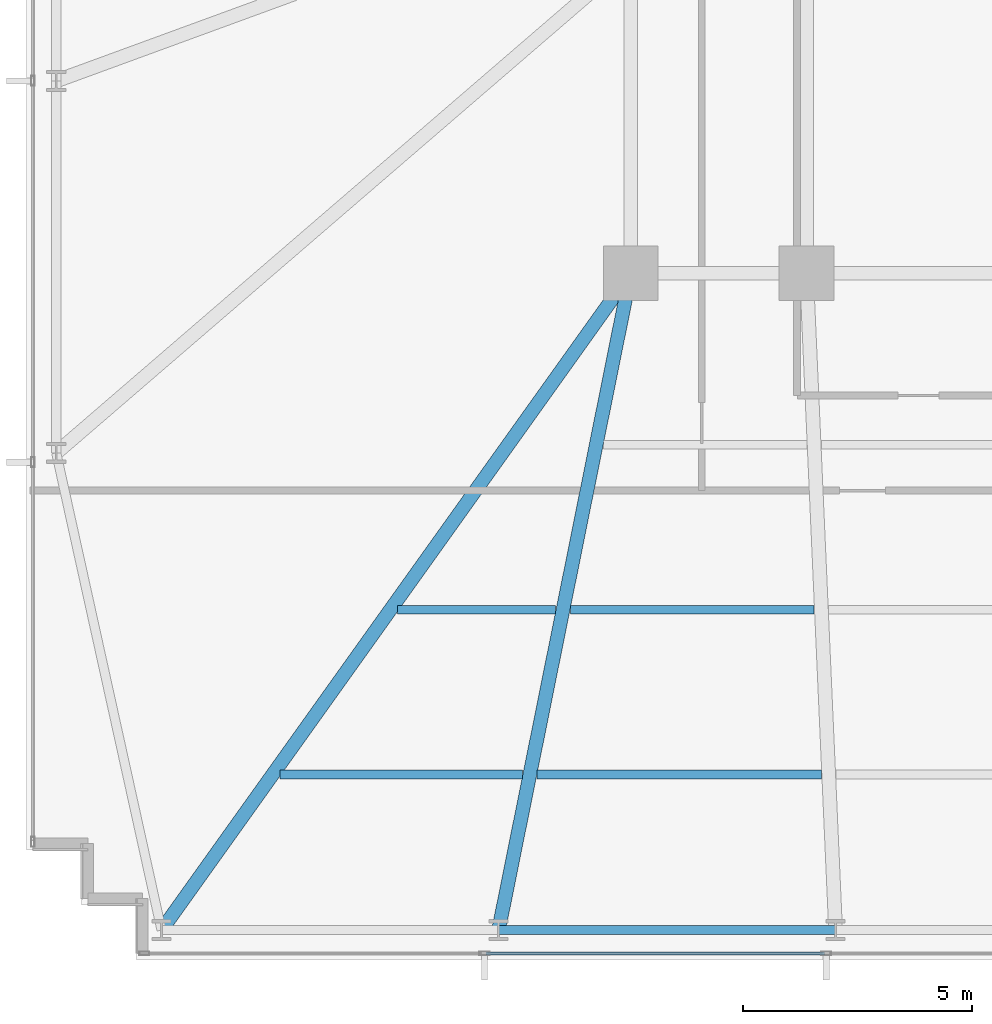
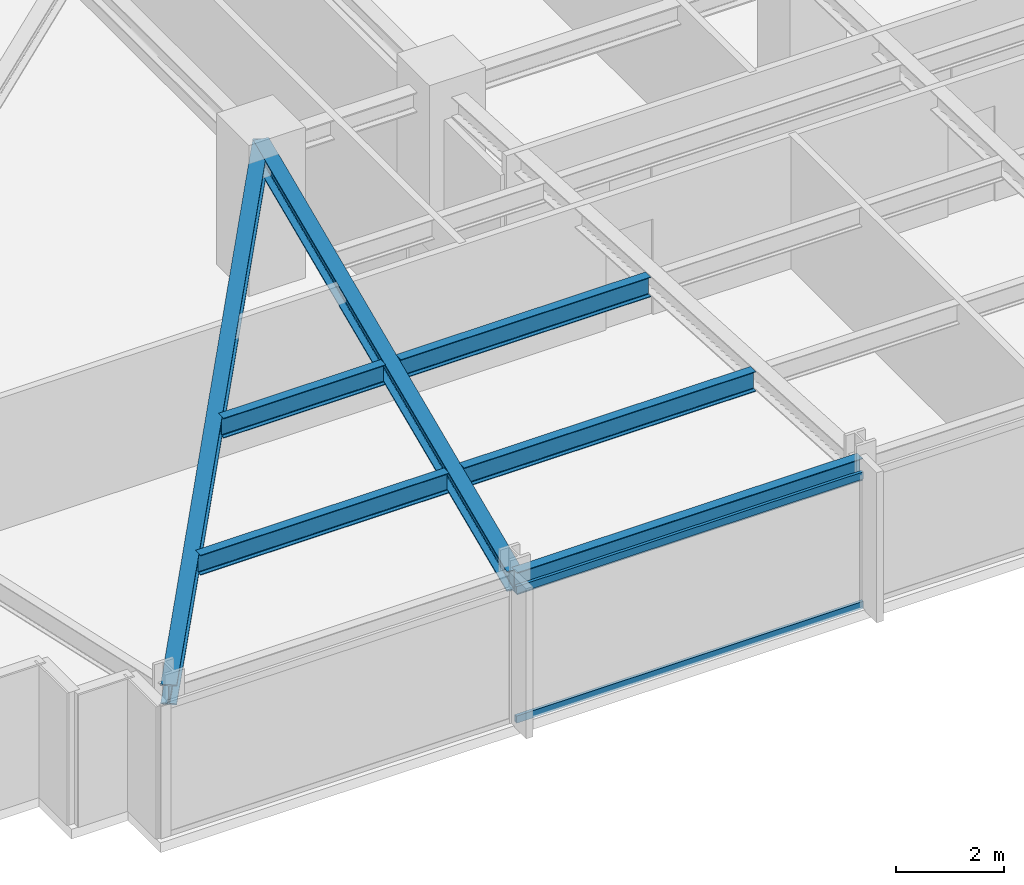
# One storey, part 3 of 32: 7 beams, 2 members, 1 element without a shape of its own.
"""IFC4 building model written with IfcOpenShell, lengths in metres."""

from ifc_helpers import new_model, si_unit, direction, frame, origin, origin_2d, place, context, subcontext, project, spatial, hollow_rectangle, i_section, extrude, material, material_profile, profile_set, type_object, element, aggregate, save


model = new_model("IFC4")

# Units and contexts
model_context = context("Model", 3, precision=1e-05, world=origin(), true_north=direction((0.0, 1.0)))
body_context = subcontext(model_context, "Body", "Model", "MODEL_VIEW")
ifc_project = project(units=[si_unit("LENGTHUNIT", "METRE"), si_unit("AREAUNIT", "SQUARE_METRE"), si_unit("VOLUMEUNIT", "CUBIC_METRE"), si_unit("PLANEANGLEUNIT", "RADIAN"), si_unit("MASSUNIT", "GRAM", prefix="KILO")], contexts=[model_context])

# Site, building, storey
site_placement = place(None, origin())
site = spatial("IfcSite", under=ifc_project, at=site_placement, CompositionType="ELEMENT")
building_placement = place(site_placement, origin())
building = spatial("IfcBuilding", under=site, at=building_placement, Name="Yelkora Congress Tower", CompositionType="ELEMENT")
storey_placement = place(building_placement, frame((0.0, 0.0, 74.60009765625)))
storey = spatial("IfcBuildingStorey", under=building, at=storey_placement, Name="L19", CompositionType="ELEMENT", Elevation=74.60009765625)

# Beams
ifc_material_1 = material(Name="Steel S355J2", Category="steel")
ifc_material_profile_1 = material_profile(ifc_material_1, i_section(OverallWidth=0.300048828125, OverallDepth=0.449951171875, WebThickness=0.013916015625, FlangeThickness=0.02587890625, FilletRadius=0.027099609375, at=origin_2d()), Name="HEB 450")
ifc_profile_set_1 = profile_set([ifc_material_profile_1], Name="Steel S355J2")
beam_type_1 = type_object("IfcBeamType", Name="BM-GIRD-HEB450", PredefinedType="BEAM", material=ifc_profile_set_1)
beam_1_placement = place(storey_placement, frame((8.949951171875, 10.85009765625, 2.7548828125), z_axis=(0.581242122521, 0.813730664906, 0.0), x_axis=(-0.813730664906, 0.581242122521, 0.0)))
element("IfcBeam", 1, at=beam_1_placement, inside=storey, type_object=beam_type_1, Name="L19 Primary Frame Girder S01", PredefinedType="BEAM", context=body_context, shape_type="SweptSolid", body=[
    extrude(i_section(OverallWidth=0.300048828125, OverallDepth=0.449951171875, WebThickness=0.013916015625, FlangeThickness=0.02587890625, FilletRadius=0.027099609375, at=origin_2d()), origin(), (0.0, 0.0, 1.0), 17.634765625),
])
beam_2_placement = place(storey_placement, frame((16.3125, 10.85009765625, 2.7548828125), z_axis=(0.197264295931, 0.980350344291, 0.0), x_axis=(-0.980350344291, 0.197264295931, 0.0)))
element("IfcBeam", 2, at=beam_2_placement, inside=storey, type_object=beam_type_1, Name="L19 Primary Frame Girder S02", PredefinedType="BEAM", context=body_context, shape_type="SweptSolid", body=[
    extrude(i_section(OverallWidth=0.300048828125, OverallDepth=0.449951171875, WebThickness=0.013916015625, FlangeThickness=0.02587890625, FilletRadius=0.027099609375, at=origin_2d()), origin(), (0.0, 0.0, 1.0), 14.637451171875),
])
ifc_material_profile_2 = material_profile(ifc_material_1, i_section(OverallWidth=0.18994140625, OverallDepth=0.449951171875, WebThickness=0.009521484375, FlangeThickness=0.0146484375, FilletRadius=0.02099609375, at=origin_2d()), Name="IPE 450")
ifc_profile_set_2 = profile_set([ifc_material_profile_2], Name="Steel S355J2")
beam_type_2 = type_object("IfcBeamType", Name="BM-JOIST-IPE450", PredefinedType="JOIST", material=ifc_profile_set_2)
beam_3_placement = place(storey_placement, frame((11.53857421875, 14.25, 2.7548828125), z_axis=(1.0, 0.0, 0.0), x_axis=(0.0, 1.0, 0.0)))
element("IfcBeam", 3, at=beam_3_placement, inside=storey, type_object=beam_type_2, Name="L19 Composite Floor Joist 1", PredefinedType="JOIST", context=body_context, shape_type="SweptSolid", body=[
    extrude(i_section(OverallWidth=0.18994140625, OverallDepth=0.449951171875, WebThickness=0.009521484375, FlangeThickness=0.0146484375, FilletRadius=0.02099609375, at=origin_2d()), origin(), (0.0, 0.0, 1.0), 5.298095703125),
])
beam_4_placement = place(storey_placement, frame((17.156494140625, 14.25, 2.7548828125), z_axis=(1.0, 0.0, 0.0), x_axis=(0.0, 1.0, 0.0)))
element("IfcBeam", 4, at=beam_4_placement, inside=storey, type_object=beam_type_2, Name="L19 Composite Floor Joist 2", PredefinedType="JOIST", context=body_context, shape_type="SweptSolid", body=[
    extrude(i_section(OverallWidth=0.18994140625, OverallDepth=0.449951171875, WebThickness=0.009521484375, FlangeThickness=0.0146484375, FilletRadius=0.02099609375, at=origin_2d()), origin(), (0.0, 0.0, 1.0), 6.2080078125),
])
beam_5_placement = place(storey_placement, frame((14.110107421875, 17.85009765625, 2.7548828125), z_axis=(1.0, 0.0, 0.0), x_axis=(0.0, 1.0, 0.0)))
element("IfcBeam", 5, at=beam_5_placement, inside=storey, type_object=beam_type_2, Name="L19 Composite Floor Joist 9", PredefinedType="JOIST", context=body_context, shape_type="SweptSolid", body=[
    extrude(i_section(OverallWidth=0.18994140625, OverallDepth=0.449951171875, WebThickness=0.009521484375, FlangeThickness=0.0146484375, FilletRadius=0.02099609375, at=origin_2d()), origin(), (0.0, 0.0, 1.0), 3.450927734375),
])
beam_6_placement = place(storey_placement, frame((17.881103515625, 17.85009765625, 2.7548828125), z_axis=(1.0, 0.0, 0.0), x_axis=(0.0, 1.0, 0.0)))
element("IfcBeam", 6, at=beam_6_placement, inside=storey, type_object=beam_type_2, Name="L19 Composite Floor Joist 10", PredefinedType="JOIST", context=body_context, shape_type="SweptSolid", body=[
    extrude(i_section(OverallWidth=0.18994140625, OverallDepth=0.449951171875, WebThickness=0.009521484375, FlangeThickness=0.0146484375, FilletRadius=0.02099609375, at=origin_2d()), origin(), (0.0, 0.0, 1.0), 5.323974609375),
])
ifc_material_profile_3 = material_profile(ifc_material_1, i_section(OverallWidth=0.199951171875, OverallDepth=0.5, WebThickness=0.01025390625, FlangeThickness=0.01611328125, FilletRadius=0.02099609375, at=origin_2d()), Name="IPE 500")
ifc_profile_set_3 = profile_set([ifc_material_profile_3], Name="Steel S355J2")
beam_type_3 = type_object("IfcBeamType", Name="BM-SPAN-IPE500", PredefinedType="SPANDREL", material=ifc_profile_set_3)
beam_7_placement = place(storey_placement, frame((16.3125, 10.85009765625, 2.72998046875), z_axis=(1.0, 0.0, 0.0), x_axis=(0.0, 1.0, 0.0)))
element("IfcBeam", 7, at=beam_7_placement, inside=storey, type_object=beam_type_3, Name="L19 Perimeter Beam 3", PredefinedType="SPANDREL", context=body_context, shape_type="SweptSolid", body=[
    extrude(i_section(OverallWidth=0.199951171875, OverallDepth=0.5, WebThickness=0.01025390625, FlangeThickness=0.01611328125, FilletRadius=0.02099609375, at=origin_2d()), origin(), (0.0, 0.0, 1.0), 7.362548828125),
])

# Curtain wall, members
ifc_material_2 = material(Name="Anodised aluminium and insulated glass", Category="aluminium")
curtain_wall_type = type_object("IfcCurtainWallType", Name="CW-SYS-B1", PredefinedType="NOTDEFINED", material=ifc_material_2)
curtain_wall_placement = place(storey_placement, origin())
curtain_wall = element("IfcCurtainWall", 8, at=curtain_wall_placement, inside=storey, type_object=curtain_wall_type, Name="L19 Unitised Curtain Wall 20", PredefinedType="NOTDEFINED")
ifc_material_3 = material(Name="Anodised aluminium 6063-T6", Category="aluminium")
ifc_material_profile_4 = material_profile(ifc_material_3, hollow_rectangle(XDim=0.06494140625, YDim=0.159912109375, WallThickness=0.00390625, at=origin_2d()), Name="ALU 65x160x4")
ifc_profile_set_4 = profile_set([ifc_material_profile_4], Name="Anodised aluminium 6063-T6")
member_type = type_object("IfcMemberType", Name="MEM-TR-B1", PredefinedType="USERDEFINED", material=ifc_profile_set_4)
member_1_placement = place(storey_placement, frame((23.4326171875, 10.340087890625, 0.032470703125), z_axis=(-1.0, 0.0, 0.0), x_axis=(0.0, -1.0, 0.0)))
member_1 = element("IfcMember", 9, at=member_1_placement, type_object=member_type, Name="CW-B1 transom 7.1", ObjectType="TRANSOM", PredefinedType="USERDEFINED", context=body_context, shape_type="SweptSolid", body=[
    extrude(hollow_rectangle(XDim=0.06494140625, YDim=0.159912109375, WallThickness=0.00390625, at=origin_2d()), origin(), (0.0, 0.0, 1.0), 7.39013671875),
])
member_2_placement = place(storey_placement, frame((23.4326171875, 10.340087890625, 2.947509765625), z_axis=(-1.0, 0.0, 0.0), x_axis=(0.0, -1.0, 0.0)))
member_2 = element("IfcMember", 10, at=member_2_placement, type_object=member_type, Name="CW-B1 transom 7.2", ObjectType="TRANSOM", PredefinedType="USERDEFINED", context=body_context, shape_type="SweptSolid", body=[
    extrude(hollow_rectangle(XDim=0.06494140625, YDim=0.159912109375, WallThickness=0.00390625, at=origin_2d()), origin(), (0.0, 0.0, 1.0), 7.39013671875),
])
aggregate(curtain_wall, [member_1, member_2])

save(model, "model.ifc")
